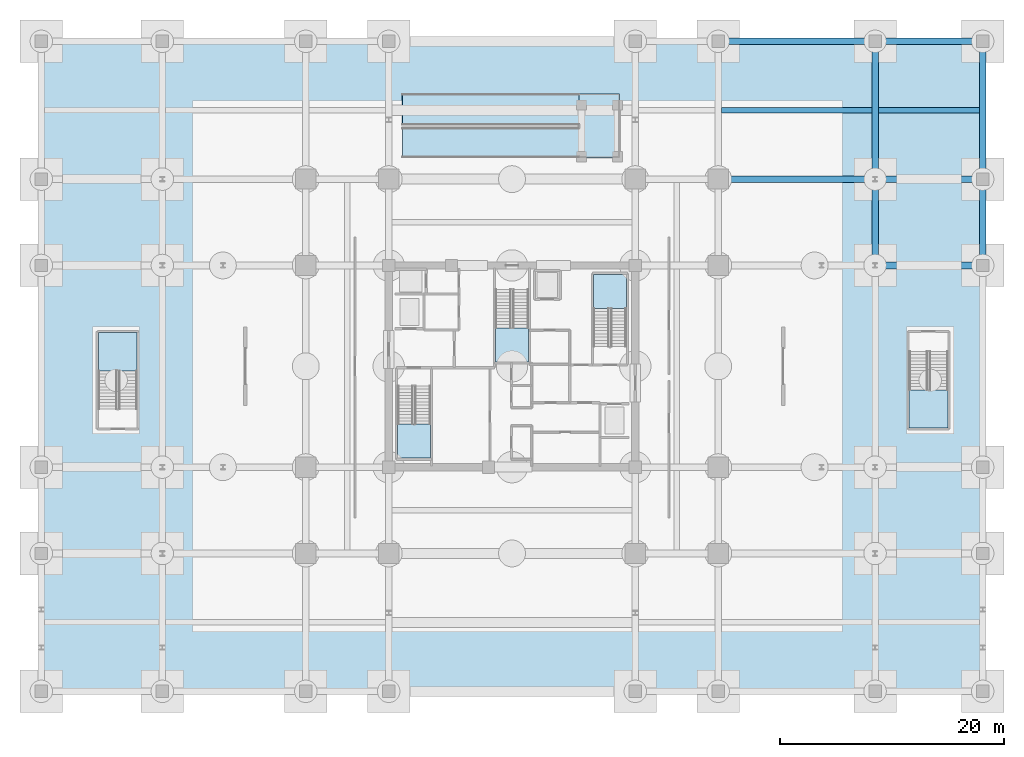
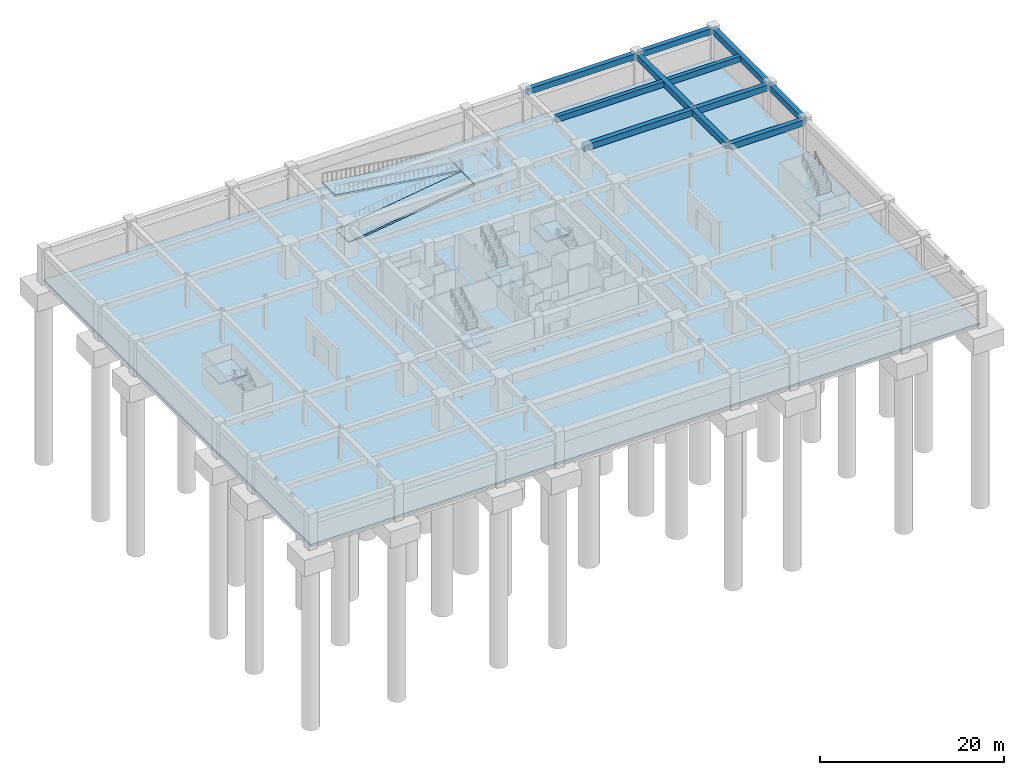
# One storey, part 6 of 17: 11 beams, 9 slabs, 5 elements without a shape of their own.
"""IFC4 building model written with IfcOpenShell, lengths in metres."""

from ifc_helpers import new_model, si_unit, direction, frame, origin, origin_2d, place, context, subcontext, project, spatial, polyline, rectangle, outline, extrude, material, layer, layer_set, material_profile, profile_set, type_object, element, aggregate, save


model = new_model("IFC4")

# Units and contexts
model_context = context("Model", 3, precision=1e-05, world=origin(), true_north=direction((0.0, 1.0)))
body_context = subcontext(model_context, "Body", "Model", "MODEL_VIEW")
ifc_project = project(units=[si_unit("LENGTHUNIT", "METRE"), si_unit("AREAUNIT", "SQUARE_METRE"), si_unit("VOLUMEUNIT", "CUBIC_METRE"), si_unit("PLANEANGLEUNIT", "RADIAN"), si_unit("MASSUNIT", "GRAM", prefix="KILO")], contexts=[model_context])

# Site, building, storey
site_placement = place(None, origin())
site = spatial("IfcSite", under=ifc_project, at=site_placement, CompositionType="ELEMENT")
building_placement = place(site_placement, origin())
building = spatial("IfcBuilding", under=site, at=building_placement, Name="Kovane Verandah Tower", CompositionType="ELEMENT")
storey_placement = place(building_placement, frame((0.0, 0.0, -9.0)))
storey = spatial("IfcBuildingStorey", under=building, at=storey_placement, Name="B2", CompositionType="ELEMENT", Elevation=-9.0)

# Beams
ifc_material_1 = material(Name="Concrete C45/55", Category="concrete")
ifc_material_profile_1 = material_profile(ifc_material_1, rectangle(XDim=0.5, YDim=0.75, at=origin_2d()), Name="RCB500x750")
ifc_profile_set_1 = profile_set([ifc_material_profile_1], Name="Concrete C45/55")
beam_type_1 = type_object("IfcBeamType", Name="BM-RC-500x750", PredefinedType="BEAM", material=ifc_profile_set_1)
beam_1_placement = place(storey_placement, frame((58.697998046875, 50.35009765625, 3.824951171875), z_axis=(1.0, 0.0, 0.0), x_axis=(0.0, 1.0, 0.0)))
element("IfcBeam", 1, at=beam_1_placement, inside=storey, type_object=beam_type_1, Name="B2 Podium Secondary Joist 13", PredefinedType="BEAM", context=body_context, shape_type="SweptSolid", body=[
    extrude(rectangle(XDim=0.5, YDim=0.75, at=origin_2d()), origin(), (0.0, 0.0, 1.0), 13.404052734375),
])
beam_2_placement = place(storey_placement, frame((72.697998046875, 50.35009765625, 3.824951171875), z_axis=(1.0, 0.0, 0.0), x_axis=(0.0, 1.0, 0.0)))
element("IfcBeam", 2, at=beam_2_placement, inside=storey, type_object=beam_type_1, Name="B2 Podium Secondary Joist 14", PredefinedType="BEAM", context=body_context, shape_type="SweptSolid", body=[
    extrude(rectangle(XDim=0.5, YDim=0.75, at=origin_2d()), origin(), (0.0, 0.0, 1.0), 9.00390625),
])
ifc_material_profile_2 = material_profile(ifc_material_1, rectangle(XDim=0.60009765625, YDim=0.800048828125, at=origin_2d()), Name="RCB600x800")
ifc_profile_set_2 = profile_set([ifc_material_profile_2], Name="Concrete C45/55")
beam_type_2 = type_object("IfcBeamType", Name="BM-RC-600x800", PredefinedType="BEAM", material=ifc_profile_set_2)
beam_3_placement = place(storey_placement, frame((72.580078125, 36.5, 3.800048828125), z_axis=(1.0, 0.0, 0.0), x_axis=(0.0, 1.0, 0.0)))
element("IfcBeam", 3, at=beam_3_placement, inside=storey, type_object=beam_type_2, Name="B2 Podium Grid Girder X19", PredefinedType="BEAM", context=body_context, shape_type="SweptSolid", body=[
    extrude(rectangle(XDim=0.60009765625, YDim=0.800048828125, at=origin_2d()), origin(), (0.0, 0.0, 1.0), 9.239990234375),
])
beam_4_placement = place(storey_placement, frame((58.580078125, 44.199951171875, 3.800048828125), z_axis=(1.0, 0.0, 0.0), x_axis=(0.0, 1.0, 0.0)))
element("IfcBeam", 4, at=beam_4_placement, inside=storey, type_object=beam_type_2, Name="B2 Podium Grid Girder X22", PredefinedType="BEAM", context=body_context, shape_type="SweptSolid", body=[
    extrude(rectangle(XDim=0.60009765625, YDim=0.800048828125, at=origin_2d()), origin(), (0.0, 0.0, 1.0), 13.639892578125),
])
beam_5_placement = place(storey_placement, frame((72.580078125, 44.199951171875, 3.800048828125), z_axis=(1.0, 0.0, 0.0), x_axis=(0.0, 1.0, 0.0)))
element("IfcBeam", 5, at=beam_5_placement, inside=storey, type_object=beam_type_2, Name="B2 Podium Grid Girder X23", PredefinedType="BEAM", context=body_context, shape_type="SweptSolid", body=[
    extrude(rectangle(XDim=0.60009765625, YDim=0.800048828125, at=origin_2d()), origin(), (0.0, 0.0, 1.0), 9.239990234375),
])
beam_6_placement = place(storey_placement, frame((58.580078125, 56.5, 3.800048828125), z_axis=(1.0, 0.0, 0.0), x_axis=(0.0, 1.0, 0.0)))
element("IfcBeam", 6, at=beam_6_placement, inside=storey, type_object=beam_type_2, Name="B2 Podium Grid Girder X29", PredefinedType="BEAM", context=body_context, shape_type="SweptSolid", body=[
    extrude(rectangle(XDim=0.60009765625, YDim=0.800048828125, at=origin_2d()), origin(), (0.0, 0.0, 1.0), 13.639892578125),
])
beam_7_placement = place(storey_placement, frame((72.580078125, 56.5, 3.800048828125), z_axis=(1.0, 0.0, 0.0), x_axis=(0.0, 1.0, 0.0)))
element("IfcBeam", 7, at=beam_7_placement, inside=storey, type_object=beam_type_2, Name="B2 Podium Grid Girder X30", PredefinedType="BEAM", context=body_context, shape_type="SweptSolid", body=[
    extrude(rectangle(XDim=0.60009765625, YDim=0.800048828125, at=origin_2d()), origin(), (0.0, 0.0, 1.0), 9.239990234375),
])
beam_8_placement = place(storey_placement, frame((72.39990234375, 36.679931640625, 3.800048828125), z_axis=(0.0, 1.0, 0.0), x_axis=(-1.0, 0.0, 0.0)))
element("IfcBeam", 8, at=beam_8_placement, inside=storey, type_object=beam_type_2, Name="B2 Podium Grid Girder Y52", PredefinedType="BEAM", context=body_context, shape_type="SweptSolid", body=[
    extrude(rectangle(XDim=0.60009765625, YDim=0.800048828125, at=origin_2d()), origin(), (0.0, 0.0, 1.0), 7.340087890625),
])
beam_9_placement = place(storey_placement, frame((72.39990234375, 44.3798828125, 3.800048828125), z_axis=(0.0, 1.0, 0.0), x_axis=(-1.0, 0.0, 0.0)))
element("IfcBeam", 9, at=beam_9_placement, inside=storey, type_object=beam_type_2, Name="B2 Podium Grid Girder Y53", PredefinedType="BEAM", context=body_context, shape_type="SweptSolid", body=[
    extrude(rectangle(XDim=0.60009765625, YDim=0.800048828125, at=origin_2d()), origin(), (0.0, 0.0, 1.0), 11.940185546875),
])
beam_10_placement = place(storey_placement, frame((82.0, 36.679931640625, 3.800048828125), z_axis=(0.0, 1.0, 0.0), x_axis=(-1.0, 0.0, 0.0)))
element("IfcBeam", 10, at=beam_10_placement, inside=storey, type_object=beam_type_2, Name="B2 Podium Grid Girder Y57", PredefinedType="BEAM", context=body_context, shape_type="SweptSolid", body=[
    extrude(rectangle(XDim=0.60009765625, YDim=0.800048828125, at=origin_2d()), origin(), (0.0, 0.0, 1.0), 7.340087890625),
])
beam_11_placement = place(storey_placement, frame((82.0, 44.3798828125, 3.800048828125), z_axis=(0.0, 1.0, 0.0), x_axis=(-1.0, 0.0, 0.0)))
element("IfcBeam", 11, at=beam_11_placement, inside=storey, type_object=beam_type_2, Name="B2 Podium Grid Girder Y58", PredefinedType="BEAM", context=body_context, shape_type="SweptSolid", body=[
    extrude(rectangle(XDim=0.60009765625, YDim=0.800048828125, at=origin_2d()), origin(), (0.0, 0.0, 1.0), 11.940185546875),
])

# Slabs
ifc_layer_1 = layer(ifc_material_1, 0.300048828125)
ifc_layer_set_1 = layer_set([ifc_layer_1], Name="Concrete C45/55")
slab_type_1 = type_object("IfcSlabType", Name="SL-BASE-300", PredefinedType="BASESLAB", material=ifc_layer_set_1)
slab_1_placement = place(storey_placement, frame((0.0, 0.0, -0.300048828125)))
element("IfcSlab", 12, at=slab_1_placement, inside=storey, type_object=slab_type_1, Name="B2 Basement Base Slab", PredefinedType="BASESLAB", context=body_context, shape_type="SweptSolid", body=[
    extrude(outline(polyline([(-2.0, -1.5), (82.0, -1.5), (82.0, 56.5), (-2.0, 56.5), (-2.0, -1.5)]), holes=[polyline([(30.199951171875, 46.080078125), (32.300048828125, 46.080078125), (32.300048828125, 48.820068359375), (30.199951171875, 48.820068359375), (30.199951171875, 46.080078125)])]), origin(), (0.0, 0.0, 1.0), 0.300048828125),
])
ifc_material_2 = material(Name="Concrete C60/75", Category="concrete")
ifc_layer_2 = layer(ifc_material_2, 0.300048828125)
ifc_layer_set_2 = layer_set([ifc_layer_2], Name="Concrete C60/75")
slab_type_2 = type_object("IfcSlabType", Name="SL-HVY-300", PredefinedType="FLOOR", material=ifc_layer_set_2)
slab_2_placement = place(storey_placement, frame((0.0, 0.0, 2.0)))
element("IfcSlab", 13, at=slab_2_placement, inside=storey, type_object=slab_type_2, Name="B2 Half-Turn Vehicle Ramp Landing Slab VR-B2", PredefinedType="FLOOR", context=body_context, shape_type="SweptSolid", body=[
    extrude(outline(polyline([(46.0, 46.10009765625), (49.60009765625, 46.10009765625), (49.60009765625, 51.800048828125), (46.0, 51.800048828125), (46.0, 46.10009765625)])), origin(), (0.0, 0.0, 1.0), 0.25),
])

# Stair, slab
stair_type = type_object("IfcStairType", Name="ST-CORE-1380", PredefinedType="HALF_TURN_STAIR", material=ifc_material_1)
stair_1_placement = place(storey_placement, origin())
stair_1 = element("IfcStair", 14, at=stair_1_placement, inside=storey, type_object=stair_type, Name="B2 Exit Stair ST-01", PredefinedType="HALF_TURN_STAIR")
ifc_layer_3 = layer(ifc_material_1, 0.199951171875)
ifc_layer_set_3 = layer_set([ifc_layer_3], Name="Concrete C45/55")
slab_type_3 = type_object("IfcSlabType", Name="SL-LAND-200", PredefinedType="LANDING", material=ifc_layer_set_3)
slab_3_placement = place(storey_placement, frame((0.0, 0.0, 2.050048828125)))
slab_3 = element("IfcSlab", 15, at=slab_3_placement, type_object=slab_type_3, Name="ST-01 landing 1", PredefinedType="LANDING", context=body_context, shape_type="SweptSolid", body=[
    extrude(outline(polyline([(29.800048828125, 22.330078125), (29.800048828125, 19.300048828125), (32.719970703125, 19.300048828125), (32.719970703125, 22.330078125), (29.800048828125, 22.330078125)])), origin(), (0.0, 0.0, 1.0), 0.199951171875),
])
aggregate(stair_1, [slab_3])

stair_2_placement = place(storey_placement, origin())
stair_2 = element("IfcStair", 16, at=stair_2_placement, inside=storey, type_object=stair_type, Name="B2 Exit Stair ST-02", PredefinedType="HALF_TURN_STAIR")
slab_4_placement = place(storey_placement, frame((0.0, 0.0, 2.050048828125)))
slab_4 = element("IfcSlab", 17, at=slab_4_placement, type_object=slab_type_3, Name="ST-02 landing 1", PredefinedType="LANDING", context=body_context, shape_type="SweptSolid", body=[
    extrude(outline(polyline([(50.199951171875, 32.669921875), (50.199951171875, 35.699951171875), (47.280029296875, 35.699951171875), (47.280029296875, 32.669921875), (50.199951171875, 32.669921875)])), origin(), (0.0, 0.0, 1.0), 0.199951171875),
])
aggregate(stair_2, [slab_4])

stair_3_placement = place(storey_placement, origin())
stair_3 = element("IfcStair", 18, at=stair_3_placement, inside=storey, type_object=stair_type, Name="B2 Exit Stair ST-03", PredefinedType="HALF_TURN_STAIR")
slab_5_placement = place(storey_placement, frame((0.0, 0.0, 2.050048828125)))
slab_5 = element("IfcSlab", 19, at=slab_5_placement, type_object=slab_type_3, Name="ST-03 landing 1", PredefinedType="LANDING", context=body_context, shape_type="SweptSolid", body=[
    extrude(outline(polyline([(38.5400390625, 30.929931640625), (38.5400390625, 27.89990234375), (41.4599609375, 27.89990234375), (41.4599609375, 30.929931640625), (38.5400390625, 30.929931640625)])), origin(), (0.0, 0.0, 1.0), 0.199951171875),
])
aggregate(stair_3, [slab_5])

stair_4_placement = place(storey_placement, origin())
stair_4 = element("IfcStair", 20, at=stair_4_placement, inside=storey, type_object=stair_type, Name="B2 Exit Stair ST-04", PredefinedType="HALF_TURN_STAIR")
slab_6_placement = place(storey_placement, frame((0.0, 0.0, 2.050048828125)))
slab_6 = element("IfcSlab", 21, at=slab_6_placement, type_object=slab_type_3, Name="ST-04 landing 1", PredefinedType="LANDING", context=body_context, shape_type="SweptSolid", body=[
    extrude(outline(polyline([(6.56005859375, 27.10009765625), (6.56005859375, 30.5), (3.10009765625, 30.5), (3.10009765625, 27.10009765625), (6.56005859375, 27.10009765625)])), origin(), (0.0, 0.0, 1.0), 0.199951171875),
])
aggregate(stair_4, [slab_6])

stair_5_placement = place(storey_placement, origin())
stair_5 = element("IfcStair", 22, at=stair_5_placement, inside=storey, type_object=stair_type, Name="B2 Exit Stair ST-05", PredefinedType="HALF_TURN_STAIR")
slab_7_placement = place(storey_placement, frame((0.0, 0.0, 2.050048828125)))
slab_7 = element("IfcSlab", 23, at=slab_7_placement, type_object=slab_type_3, Name="ST-05 landing 1", PredefinedType="LANDING", context=body_context, shape_type="SweptSolid", body=[
    extrude(outline(polyline([(75.43994140625, 25.39990234375), (75.43994140625, 22.0), (78.89990234375, 22.0), (78.89990234375, 25.39990234375), (75.43994140625, 25.39990234375)])), origin(), (0.0, 0.0, 1.0), 0.199951171875),
])
aggregate(stair_5, [slab_7])

# Slabs
ifc_layer_4 = layer(ifc_material_1, 0.25)
ifc_layer_set_4 = layer_set([ifc_layer_4], Name="Concrete C45/55")
slab_type_4 = type_object("IfcSlabType", Name="SL-VRAMP-250", PredefinedType="FLOOR", material=ifc_layer_set_4)
slab_8_placement = place(storey_placement, frame((30.22998046875, 46.10009765625, 0.0), z_axis=(-0.141509492014, 0.0, 0.989936898832), x_axis=(0.989936898832, 0.0, 0.141509492014)))
element("IfcSlab", 24, at=slab_8_placement, inside=storey, type_object=slab_type_4, Name="B2 Graded Structural Vehicle Ramp Slab Lower VR-B2", PredefinedType="FLOOR", context=body_context, shape_type="SweptSolid", body=[
    extrude(outline(polyline([(0.0, 0.0), (15.899993477301189, 0.0), (15.899993477301189, 2.699951171875), (0.0, 2.699951171875), (0.0, 0.0)])), origin(), (0.0, 0.0, -1.0), 0.25),
])
slab_9_placement = place(storey_placement, frame((30.22998046875, 49.0, 4.5), z_axis=(0.141509492014, 0.0, 0.989936898832), x_axis=(0.989936898832, 0.0, -0.141509492014)))
element("IfcSlab", 25, at=slab_9_placement, inside=storey, type_object=slab_type_4, Name="B2 Graded Structural Vehicle Ramp Slab Upper VR-B2", PredefinedType="FLOOR", context=body_context, shape_type="SweptSolid", body=[
    extrude(outline(polyline([(0.0, 0.0), (15.899993477301189, 0.0), (15.899993477301189, 2.800048828125), (0.0, 2.800048828125), (0.0, 0.0)])), origin(), (0.0, 0.0, -1.0), 0.25),
])

save(model, "model.ifc")
